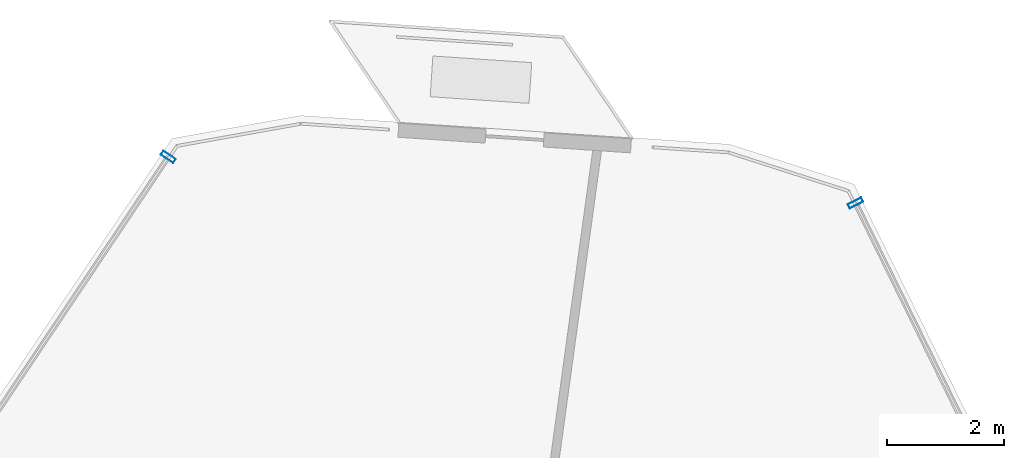
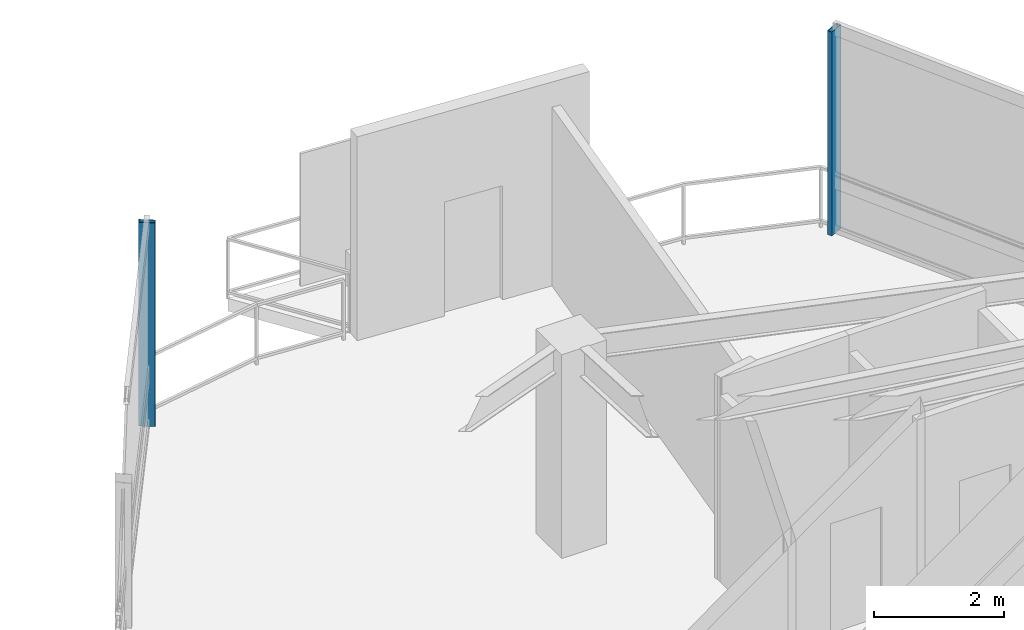
# One storey, part 12 of 18: 2 members, 2 elements without a shape of their own.
"""IFC4 building model written with IfcOpenShell, lengths in metres."""

from ifc_helpers import new_model, si_unit, direction, frame, origin, origin_2d, place, context, subcontext, project, spatial, hollow_rectangle, extrude, material, layer, layer_set, material_profile, profile_set, type_object, element, aggregate, save


model = new_model("IFC4")

# Units and contexts
model_context = context("Model", 3, precision=1e-05, world=origin(), true_north=direction((0.0, 1.0)))
body_context = subcontext(model_context, "Body", "Model", "MODEL_VIEW")
ifc_project = project(units=[si_unit("LENGTHUNIT", "METRE"), si_unit("AREAUNIT", "SQUARE_METRE"), si_unit("VOLUMEUNIT", "CUBIC_METRE"), si_unit("PLANEANGLEUNIT", "RADIAN"), si_unit("MASSUNIT", "GRAM", prefix="KILO")], contexts=[model_context])

# Site, building, storey
site_placement = place(None, origin())
site = spatial("IfcSite", under=ifc_project, at=site_placement, CompositionType="ELEMENT")
building_placement = place(site_placement, origin())
building = spatial("IfcBuilding", under=site, at=building_placement, Name="Qarnah Convention Tower", CompositionType="ELEMENT")
storey_placement = place(building_placement, frame((0.0, 0.0, 279.300048828125)))
storey = spatial("IfcBuildingStorey", under=building, at=storey_placement, Name="L75", CompositionType="ELEMENT", Elevation=279.300048828125)

# Curtain wall, member
ifc_material_1 = material(Name="Tempered Low-E dark glass", Category="glass")
ifc_layer = layer(ifc_material_1, 0.177978515625)
ifc_layer_set = layer_set([ifc_layer], Name="Tempered Low-E dark glass")
curtain_wall_type = type_object("IfcCurtainWallType", Name="CWS-06", PredefinedType="NOTDEFINED", material=ifc_layer_set)
curtain_wall_1_placement = place(storey_placement, origin())
curtain_wall_1 = element("IfcCurtainWall", 1, at=curtain_wall_1_placement, inside=storey, type_object=curtain_wall_type, Name="L75 unitised curtain wall CW-L75-F1", PredefinedType="NOTDEFINED")
ifc_material_2 = material(Name="Black anodised aluminium", Category="aluminium")
ifc_material_profile = material_profile(ifc_material_2, hollow_rectangle(XDim=0.0849609375, YDim=0.260009765625, WallThickness=0.006103515625, at=origin_2d()), Name="MUL-85X260")
ifc_profile_set = profile_set([ifc_material_profile], Name="Black anodised aluminium")
member_type = type_object("IfcMemberType", Name="MUL-T6", PredefinedType="MULLION", material=ifc_profile_set)
member_1_placement = place(storey_placement, frame((44.376953125, 45.069091796875, 0.0), z_axis=(0.0, 0.0, 1.0), x_axis=(0.440831090397, -0.8975900789, 0.0)))
member_1 = element("IfcMember", 2, at=member_1_placement, type_object=member_type, Name="CW-L75-F1 mullion 1", PredefinedType="MULLION", context=body_context, shape_type="SweptSolid", body=[
    extrude(hollow_rectangle(XDim=0.0849609375, YDim=0.260009765625, WallThickness=0.006103515625, at=origin_2d()), origin(), (0.0, 0.0, 1.0), 3.83984375),
])
aggregate(curtain_wall_1, [member_1])

curtain_wall_2_placement = place(storey_placement, origin())
curtain_wall_2 = element("IfcCurtainWall", 3, at=curtain_wall_2_placement, inside=storey, type_object=curtain_wall_type, Name="L75 unitised curtain wall CW-L75-F2", PredefinedType="NOTDEFINED")
member_2_placement = place(storey_placement, frame((32.5830078125, 45.860107421875, 0.0), z_axis=(0.0, 0.0, 1.0), x_axis=(0.55685450921, 0.830610050247, 0.0)))
member_2 = element("IfcMember", 4, at=member_2_placement, type_object=member_type, Name="CW-L75-F2 mullion 6", PredefinedType="MULLION", context=body_context, shape_type="SweptSolid", body=[
    extrude(hollow_rectangle(XDim=0.0849609375, YDim=0.260009765625, WallThickness=0.006103515625, at=origin_2d()), origin(), (0.0, 0.0, 1.0), 3.83984375),
])
aggregate(curtain_wall_2, [member_2])

save(model, "model.ifc")
